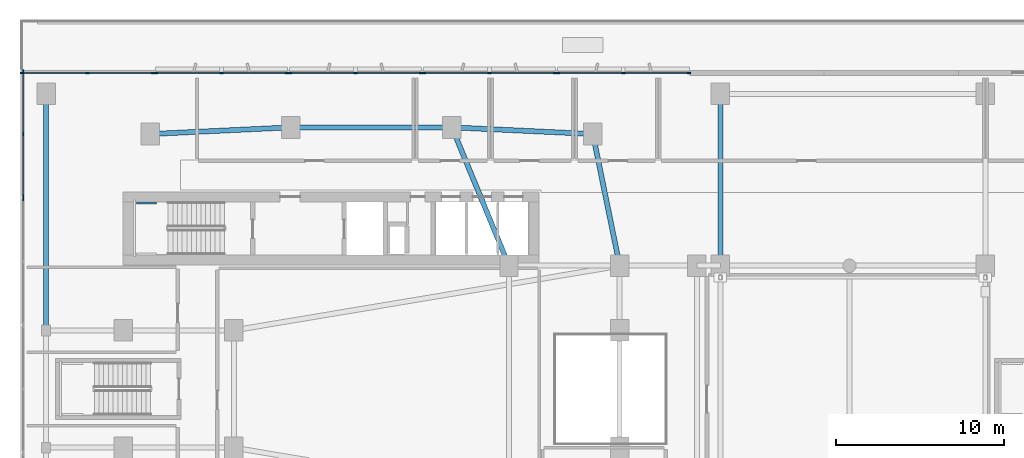
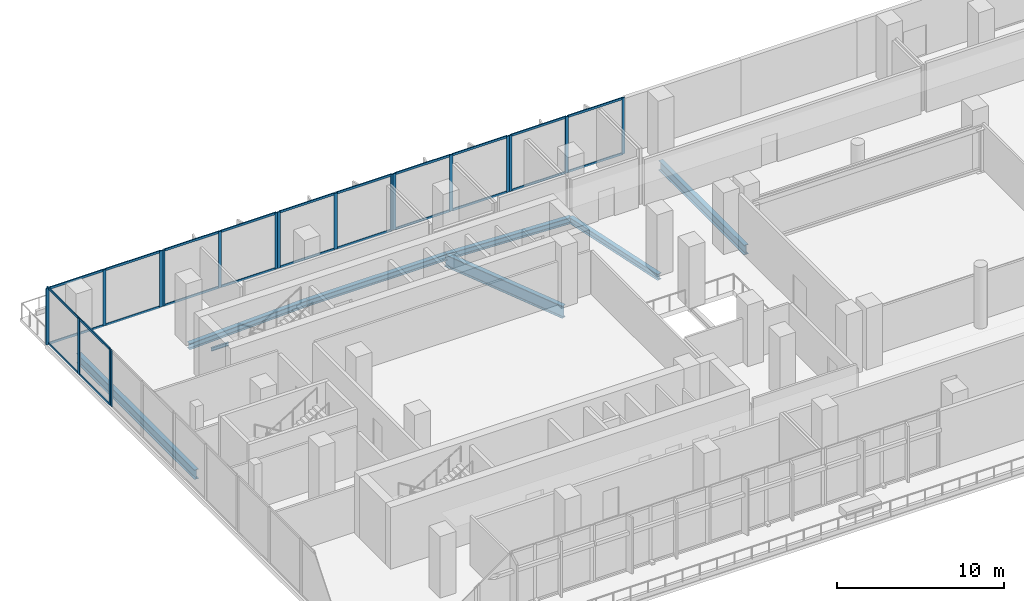
# One storey, part 7 of 31: 43 members, 8 beams, 7 elements without a shape of their own.
"""IFC4 building model written with IfcOpenShell, lengths in metres."""

from ifc_helpers import new_model, si_unit, derived_unit, direction, frame, origin, origin_2d, place, context, subcontext, project, spatial, rectangle, i_section, extrude, material, layer, layer_set, material_profile, profile_set, type_object, element, aggregate, save


model = new_model("IFC4")

# Units and contexts
model_context = context("Model", 3, precision=1e-05, world=origin(), true_north=direction((0.0, 1.0)))
body_context = subcontext(model_context, "Body", "Model", "MODEL_VIEW")
ifc_project = project(units=[si_unit("LENGTHUNIT", "METRE"), si_unit("AREAUNIT", "SQUARE_METRE"), si_unit("VOLUMEUNIT", "CUBIC_METRE"), si_unit("PLANEANGLEUNIT", "RADIAN"), si_unit("MASSUNIT", "GRAM", prefix="KILO"), derived_unit("THERMALTRANSMITTANCEUNIT", [(si_unit("POWERUNIT", "WATT"), 1), (si_unit("LENGTHUNIT", "METRE"), -2), (si_unit("THERMODYNAMICTEMPERATUREUNIT", "KELVIN"), -1)])], contexts=[model_context])

# Site, building, storey
site_placement = place(None, origin())
site = spatial("IfcSite", under=ifc_project, at=site_placement, CompositionType="ELEMENT")
building_placement = place(site_placement, origin())
building = spatial("IfcBuilding", under=site, at=building_placement, Name="Kivonza Crest Hotel", CompositionType="ELEMENT")
storey_placement = place(building_placement, frame((0.0, 0.0, 15.0)))
storey = spatial("IfcBuildingStorey", under=building, at=storey_placement, Name="L03", CompositionType="ELEMENT", Elevation=15.0)

# Beams
ifc_material_1 = material(Name="Steel S355", Category="steel")
ifc_material_profile_1 = material_profile(ifc_material_1, i_section(OverallWidth=0.300048828125, OverallDepth=0.449951171875, WebThickness=0.013916015625, FlangeThickness=0.02587890625, FilletRadius=0.027099609375, at=origin_2d()), Name="HEB 450")
ifc_profile_set_1 = profile_set([ifc_material_profile_1], Name="Steel S355")
beam_type_1 = type_object("IfcBeamType", Name="BM-HEB450", PredefinedType="SPANDREL", material=ifc_profile_set_1)
beam_1_placement = place(storey_placement, frame((35.800048828125, 32.35009765625, -0.574951171875), z_axis=(-0.199730733965, 0.979850822273, 0.0), x_axis=(-0.979850822273, -0.199730733965, 0.0)))
element("IfcBeam", 1, at=beam_1_placement, inside=storey, type_object=beam_type_1, Name="Tower T1 L03 perimeter spandrel PNE-NE", PredefinedType="SPANDREL", context=body_context, shape_type="SweptSolid", body=[
    extrude(i_section(OverallWidth=0.300048828125, OverallDepth=0.449951171875, WebThickness=0.013916015625, FlangeThickness=0.02587890625, FilletRadius=0.027099609375, at=origin_2d()), origin(), (0.0, 0.0, 1.0), 8.01123046875),
])
beam_2_placement = place(storey_placement, frame((34.199951171875, 40.199951171875, -0.574951171875), z_axis=(-0.998867283688, 0.047583080799, 0.0), x_axis=(-0.047583080799, -0.998867283688, 0.0)))
element("IfcBeam", 2, at=beam_2_placement, inside=storey, type_object=beam_type_1, Name="Tower T1 L03 perimeter spandrel NE-N2", PredefinedType="SPANDREL", context=body_context, shape_type="SweptSolid", body=[
    extrude(i_section(OverallWidth=0.300048828125, OverallDepth=0.449951171875, WebThickness=0.013916015625, FlangeThickness=0.02587890625, FilletRadius=0.027099609375, at=origin_2d()), origin(), (0.0, 0.0, 1.0), 8.409423828125),
])
beam_3_placement = place(storey_placement, frame((25.800048828125, 40.60009765625, -0.574951171875), z_axis=(-1.0, 0.0, 0.0), x_axis=(0.0, -1.0, 0.0)))
element("IfcBeam", 3, at=beam_3_placement, inside=storey, type_object=beam_type_1, Name="Tower T1 L03 perimeter spandrel N2-N1", PredefinedType="SPANDREL", context=body_context, shape_type="SweptSolid", body=[
    extrude(i_section(OverallWidth=0.300048828125, OverallDepth=0.449951171875, WebThickness=0.013916015625, FlangeThickness=0.02587890625, FilletRadius=0.027099609375, at=origin_2d()), origin(), (0.0, 0.0, 1.0), 9.60009765625),
])
beam_4_placement = place(storey_placement, frame((16.199951171875, 40.60009765625, -0.574951171875), z_axis=(-0.998867283688, -0.047583080799, 0.0), x_axis=(0.047583080799, -0.998867283688, 0.0)))
element("IfcBeam", 4, at=beam_4_placement, inside=storey, type_object=beam_type_1, Name="Tower T1 L03 perimeter spandrel N1-NW", PredefinedType="SPANDREL", context=body_context, shape_type="SweptSolid", body=[
    extrude(i_section(OverallWidth=0.300048828125, OverallDepth=0.449951171875, WebThickness=0.013916015625, FlangeThickness=0.02587890625, FilletRadius=0.027099609375, at=origin_2d()), origin(), (0.0, 0.0, 1.0), 8.409423828125),
])
ifc_material_profile_2 = material_profile(ifc_material_1, i_section(OverallWidth=0.300048828125, OverallDepth=0.699951171875, WebThickness=0.01708984375, FlangeThickness=0.031982421875, FilletRadius=0.027099609375, at=origin_2d()), Name="HEB 700")
ifc_profile_set_2 = profile_set([ifc_material_profile_2], Name="Steel S355")
beam_type_2 = type_object("IfcBeamType", Name="BM-HEB700", PredefinedType="BEAM", material=ifc_profile_set_2)
beam_5_placement = place(storey_placement, frame((1.60009765625, 28.5, -0.699951171875), z_axis=(0.0, 1.0, 0.0), x_axis=(-1.0, 0.0, 0.0)))
element("IfcBeam", 5, at=beam_5_placement, inside=storey, type_object=beam_type_2, Name="L03 podium girder Y 29", PredefinedType="BEAM", context=body_context, shape_type="SweptSolid", body=[
    extrude(i_section(OverallWidth=0.300048828125, OverallDepth=0.699951171875, WebThickness=0.01708984375, FlangeThickness=0.031982421875, FilletRadius=0.027099609375, at=origin_2d()), origin(), (0.0, 0.0, 1.0), 14.10009765625),
])
beam_6_placement = place(storey_placement, frame((41.800048828125, 32.35009765625, -0.699951171875), z_axis=(0.0, 1.0, 0.0), x_axis=(-1.0, 0.0, 0.0)))
element("IfcBeam", 6, at=beam_6_placement, inside=storey, type_object=beam_type_2, Name="L03 podium girder Y 39", PredefinedType="BEAM", context=body_context, shape_type="SweptSolid", body=[
    extrude(i_section(OverallWidth=0.300048828125, OverallDepth=0.699951171875, WebThickness=0.01708984375, FlangeThickness=0.031982421875, FilletRadius=0.027099609375, at=origin_2d()), origin(), (0.0, 0.0, 1.0), 10.25),
])
ifc_material_profile_3 = material_profile(ifc_material_1, i_section(OverallWidth=0.300048828125, OverallDepth=0.89990234375, WebThickness=0.0185546875, FlangeThickness=0.034912109375, FilletRadius=0.030029296875, at=origin_2d()), Name="HEB 900")
ifc_profile_set_3 = profile_set([ifc_material_profile_3], Name="Steel S355")
beam_type_3 = type_object("IfcBeamType", Name="BM-HEB900", PredefinedType="BEAM", material=ifc_profile_set_3)
beam_7_placement = place(storey_placement, frame((25.800048828125, 40.60009765625, -0.800048828125), z_axis=(0.381022260404, -0.924565864109, 0.0), x_axis=(0.924565864109, 0.381022260404, 0.0)))
element("IfcBeam", 7, at=beam_7_placement, inside=storey, type_object=beam_type_3, Name="Tower T1 L03 primary girder N1-TNE", PredefinedType="BEAM", context=body_context, shape_type="SweptSolid", body=[
    extrude(i_section(OverallWidth=0.300048828125, OverallDepth=0.89990234375, WebThickness=0.0185546875, FlangeThickness=0.034912109375, FilletRadius=0.030029296875, at=origin_2d()), origin(), (0.0, 0.0, 1.0), 8.923095703125),
])
ifc_material_profile_4 = material_profile(ifc_material_1, i_section(OverallWidth=0.1201171875, OverallDepth=0.239990234375, WebThickness=0.006103515625, FlangeThickness=0.009765625, FilletRadius=0.014892578125, at=origin_2d()), Name="IPE 240")
ifc_profile_set_4 = profile_set([ifc_material_profile_4], Name="Steel S355")
beam_type_4 = type_object("IfcBeamType", Name="BM-LLDG-240", PredefinedType="BEAM", material=ifc_profile_set_4)
beam_8_placement = place(storey_placement, frame((6.989990234375, 36.10009765625, 1.929931640625), z_axis=(1.0, 0.0, 0.0), x_axis=(0.0, 1.0, 0.0)))
element("IfcBeam", 8, at=beam_8_placement, inside=storey, type_object=beam_type_4, Name="Stair ST-T1-N L03 North landing corbel", PredefinedType="BEAM", context=body_context, shape_type="SweptSolid", body=[
    extrude(i_section(OverallWidth=0.1201171875, OverallDepth=0.239990234375, WebThickness=0.006103515625, FlangeThickness=0.009765625, FilletRadius=0.014892578125, at=origin_2d()), origin(), (0.0, 0.0, 1.0), 1.2099609375),
])

# Curtain wall, members
ifc_material_2 = material(Name="Anodised bronze aluminium and low-E double glazing", Category="aluminium")
ifc_layer = layer(ifc_material_2, 0.199951171875)
ifc_layer_set = layer_set([ifc_layer], Name="Anodised bronze aluminium and low-E double glazing")
curtain_wall_type = type_object("IfcCurtainWallType", Name="CW-SYS-6", PredefinedType="NOTDEFINED", material=ifc_layer_set)
curtain_wall_1_placement = place(storey_placement, origin())
curtain_wall_1 = element("IfcCurtainWall", 9, at=curtain_wall_1_placement, inside=storey, type_object=curtain_wall_type, Name="L03 unitised curtain wall CW-POD-L03-25", PredefinedType="NOTDEFINED")
ifc_material_3 = material(Name="Anodised bronze aluminium", Category="aluminium")
ifc_material_profile_5 = material_profile(ifc_material_3, rectangle(XDim=0.074951171875, YDim=0.219970703125, at=origin_2d()), Name="CW-M 75x220")
ifc_profile_set_5 = profile_set([ifc_material_profile_5], Name="Anodised bronze aluminium")
member_type_1 = type_object("IfcMemberType", Name="CW-MUL-75x220", PredefinedType="MULLION", material=ifc_profile_set_5)
member_1_placement = place(storey_placement, frame((39.935546875, 43.840087890625, 0.0), z_axis=(0.0, 0.0, 1.0), x_axis=(0.0, -1.0, 0.0)))
member_1 = element("IfcMember", 10, at=member_1_placement, type_object=member_type_1, Name="CW-6 mullion 1", PredefinedType="MULLION", context=body_context, shape_type="SweptSolid", body=[
    extrude(rectangle(XDim=0.074951171875, YDim=0.219970703125, at=origin_2d()), origin(), (0.0, 0.0, 1.0), 4.10009765625),
])
member_2_placement = place(storey_placement, frame((36.02001953125, 43.840087890625, 0.0), z_axis=(0.0, 0.0, 1.0), x_axis=(0.0, -1.0, 0.0)))
member_2 = element("IfcMember", 11, at=member_2_placement, type_object=member_type_1, Name="CW-6 mullion 2", PredefinedType="MULLION", context=body_context, shape_type="SweptSolid", body=[
    extrude(rectangle(XDim=0.074951171875, YDim=0.219970703125, at=origin_2d()), origin(), (0.0, 0.0, 1.0), 4.10009765625),
])
member_3_placement = place(storey_placement, frame((32.1044921875, 43.840087890625, 0.0), z_axis=(0.0, 0.0, 1.0), x_axis=(0.0, -1.0, 0.0)))
member_3 = element("IfcMember", 12, at=member_3_placement, type_object=member_type_1, Name="CW-6 mullion 3", PredefinedType="MULLION", context=body_context, shape_type="SweptSolid", body=[
    extrude(rectangle(XDim=0.074951171875, YDim=0.219970703125, at=origin_2d()), origin(), (0.0, 0.0, 1.0), 4.10009765625),
])

curtain_wall_2_placement = place(storey_placement, origin())
curtain_wall_2 = element("IfcCurtainWall", 13, at=curtain_wall_2_placement, inside=storey, type_object=curtain_wall_type, Name="L03 unitised curtain wall CW-POD-L03-26", PredefinedType="NOTDEFINED")
member_4_placement = place(storey_placement, frame((31.949462890625, 43.840087890625, 0.0), z_axis=(0.0, 0.0, 1.0), x_axis=(0.0, -1.0, 0.0)))
member_4 = element("IfcMember", 14, at=member_4_placement, type_object=member_type_1, Name="CW-6 mullion 1", PredefinedType="MULLION", context=body_context, shape_type="SweptSolid", body=[
    extrude(rectangle(XDim=0.074951171875, YDim=0.219970703125, at=origin_2d()), origin(), (0.0, 0.0, 1.0), 4.10009765625),
])
member_5_placement = place(storey_placement, frame((28.033447265625, 43.840087890625, 0.0), z_axis=(0.0, 0.0, 1.0), x_axis=(0.0, -1.0, 0.0)))
member_5 = element("IfcMember", 15, at=member_5_placement, type_object=member_type_1, Name="CW-6 mullion 2", PredefinedType="MULLION", context=body_context, shape_type="SweptSolid", body=[
    extrude(rectangle(XDim=0.074951171875, YDim=0.219970703125, at=origin_2d()), origin(), (0.0, 0.0, 1.0), 4.10009765625),
])
member_6_placement = place(storey_placement, frame((24.117431640625, 43.840087890625, 0.0), z_axis=(0.0, 0.0, 1.0), x_axis=(0.0, -1.0, 0.0)))
member_6 = element("IfcMember", 16, at=member_6_placement, type_object=member_type_1, Name="CW-6 mullion 3", PredefinedType="MULLION", context=body_context, shape_type="SweptSolid", body=[
    extrude(rectangle(XDim=0.074951171875, YDim=0.219970703125, at=origin_2d()), origin(), (0.0, 0.0, 1.0), 4.10009765625),
])

curtain_wall_3_placement = place(storey_placement, origin())
curtain_wall_3 = element("IfcCurtainWall", 17, at=curtain_wall_3_placement, inside=storey, type_object=curtain_wall_type, Name="L03 unitised curtain wall CW-POD-L03-27", PredefinedType="NOTDEFINED")
member_7_placement = place(storey_placement, frame((23.96240234375, 43.840087890625, 0.0), z_axis=(0.0, 0.0, 1.0), x_axis=(0.0, -1.0, 0.0)))
member_7 = element("IfcMember", 18, at=member_7_placement, type_object=member_type_1, Name="CW-6 mullion 1", PredefinedType="MULLION", context=body_context, shape_type="SweptSolid", body=[
    extrude(rectangle(XDim=0.074951171875, YDim=0.219970703125, at=origin_2d()), origin(), (0.0, 0.0, 1.0), 4.10009765625),
])
member_8_placement = place(storey_placement, frame((20.04638671875, 43.840087890625, 0.0), z_axis=(0.0, 0.0, 1.0), x_axis=(0.0, -1.0, 0.0)))
member_8 = element("IfcMember", 19, at=member_8_placement, type_object=member_type_1, Name="CW-6 mullion 2", PredefinedType="MULLION", context=body_context, shape_type="SweptSolid", body=[
    extrude(rectangle(XDim=0.074951171875, YDim=0.219970703125, at=origin_2d()), origin(), (0.0, 0.0, 1.0), 4.10009765625),
])
member_9_placement = place(storey_placement, frame((16.130615234375, 43.840087890625, 0.0), z_axis=(0.0, 0.0, 1.0), x_axis=(0.0, -1.0, 0.0)))
member_9 = element("IfcMember", 20, at=member_9_placement, type_object=member_type_1, Name="CW-6 mullion 3", PredefinedType="MULLION", context=body_context, shape_type="SweptSolid", body=[
    extrude(rectangle(XDim=0.074951171875, YDim=0.219970703125, at=origin_2d()), origin(), (0.0, 0.0, 1.0), 4.10009765625),
])

curtain_wall_4_placement = place(storey_placement, origin())
curtain_wall_4 = element("IfcCurtainWall", 21, at=curtain_wall_4_placement, inside=storey, type_object=curtain_wall_type, Name="L03 unitised curtain wall CW-POD-L03-28", PredefinedType="NOTDEFINED")
member_10_placement = place(storey_placement, frame((15.9755859375, 43.840087890625, 0.0), z_axis=(0.0, 0.0, 1.0), x_axis=(0.0, -1.0, 0.0)))
member_10 = element("IfcMember", 22, at=member_10_placement, type_object=member_type_1, Name="CW-6 mullion 1", PredefinedType="MULLION", context=body_context, shape_type="SweptSolid", body=[
    extrude(rectangle(XDim=0.074951171875, YDim=0.219970703125, at=origin_2d()), origin(), (0.0, 0.0, 1.0), 4.10009765625),
])
member_11_placement = place(storey_placement, frame((12.06005859375, 43.840087890625, 0.0), z_axis=(0.0, 0.0, 1.0), x_axis=(0.0, -1.0, 0.0)))
member_11 = element("IfcMember", 23, at=member_11_placement, type_object=member_type_1, Name="CW-6 mullion 2", PredefinedType="MULLION", context=body_context, shape_type="SweptSolid", body=[
    extrude(rectangle(XDim=0.074951171875, YDim=0.219970703125, at=origin_2d()), origin(), (0.0, 0.0, 1.0), 4.10009765625),
])
member_12_placement = place(storey_placement, frame((8.14453125, 43.840087890625, 0.0), z_axis=(0.0, 0.0, 1.0), x_axis=(0.0, -1.0, 0.0)))
member_12 = element("IfcMember", 24, at=member_12_placement, type_object=member_type_1, Name="CW-6 mullion 3", PredefinedType="MULLION", context=body_context, shape_type="SweptSolid", body=[
    extrude(rectangle(XDim=0.074951171875, YDim=0.219970703125, at=origin_2d()), origin(), (0.0, 0.0, 1.0), 4.10009765625),
])

curtain_wall_5_placement = place(storey_placement, origin())
curtain_wall_5 = element("IfcCurtainWall", 25, at=curtain_wall_5_placement, inside=storey, type_object=curtain_wall_type, Name="L03 unitised curtain wall CW-POD-L03-29", PredefinedType="NOTDEFINED")
member_13_placement = place(storey_placement, frame((7.989501953125, 43.840087890625, 0.0), z_axis=(0.0, 0.0, 1.0), x_axis=(0.0, -1.0, 0.0)))
member_13 = element("IfcMember", 26, at=member_13_placement, type_object=member_type_1, Name="CW-6 mullion 1", PredefinedType="MULLION", context=body_context, shape_type="SweptSolid", body=[
    extrude(rectangle(XDim=0.074951171875, YDim=0.219970703125, at=origin_2d()), origin(), (0.0, 0.0, 1.0), 4.10009765625),
])
member_14_placement = place(storey_placement, frame((4.073486328125, 43.840087890625, 0.0), z_axis=(0.0, 0.0, 1.0), x_axis=(0.0, -1.0, 0.0)))
member_14 = element("IfcMember", 27, at=member_14_placement, type_object=member_type_1, Name="CW-6 mullion 2", PredefinedType="MULLION", context=body_context, shape_type="SweptSolid", body=[
    extrude(rectangle(XDim=0.074951171875, YDim=0.219970703125, at=origin_2d()), origin(), (0.0, 0.0, 1.0), 4.10009765625),
])
member_15_placement = place(storey_placement, frame((0.157470703125, 43.840087890625, 0.0), z_axis=(0.0, 0.0, 1.0), x_axis=(0.0, -1.0, 0.0)))
member_15 = element("IfcMember", 28, at=member_15_placement, type_object=member_type_1, Name="CW-6 mullion 3", PredefinedType="MULLION", context=body_context, shape_type="SweptSolid", body=[
    extrude(rectangle(XDim=0.074951171875, YDim=0.219970703125, at=origin_2d()), origin(), (0.0, 0.0, 1.0), 4.10009765625),
])

curtain_wall_6_placement = place(storey_placement, origin())
curtain_wall_6 = element("IfcCurtainWall", 29, at=curtain_wall_6_placement, inside=storey, type_object=curtain_wall_type, Name="L03 unitised curtain wall CW-POD-L03-30", PredefinedType="NOTDEFINED")
member_16_placement = place(storey_placement, frame((0.239990234375, 43.922607421875, 0.0), z_axis=(0.0, 0.0, 1.0), x_axis=(1.0, 0.0, 0.0)))
member_16 = element("IfcMember", 30, at=member_16_placement, type_object=member_type_1, Name="CW-6 mullion 1", PredefinedType="MULLION", context=body_context, shape_type="SweptSolid", body=[
    extrude(rectangle(XDim=0.074951171875, YDim=0.219970703125, at=origin_2d()), origin(), (0.0, 0.0, 1.0), 4.10009765625),
])
member_17_placement = place(storey_placement, frame((0.239990234375, 40.199951171875, 0.0), z_axis=(0.0, 0.0, 1.0), x_axis=(1.0, 0.0, 0.0)))
member_17 = element("IfcMember", 31, at=member_17_placement, type_object=member_type_1, Name="CW-6 mullion 2", PredefinedType="MULLION", context=body_context, shape_type="SweptSolid", body=[
    extrude(rectangle(XDim=0.074951171875, YDim=0.219970703125, at=origin_2d()), origin(), (0.0, 0.0, 1.0), 4.10009765625),
])
member_18_placement = place(storey_placement, frame((0.239990234375, 36.4775390625, 0.0), z_axis=(0.0, 0.0, 1.0), x_axis=(1.0, 0.0, 0.0)))
member_18 = element("IfcMember", 32, at=member_18_placement, type_object=member_type_1, Name="CW-6 mullion 3", PredefinedType="MULLION", context=body_context, shape_type="SweptSolid", body=[
    extrude(rectangle(XDim=0.074951171875, YDim=0.219970703125, at=origin_2d()), origin(), (0.0, 0.0, 1.0), 4.10009765625),
])

# Curtain wall, member
curtain_wall_7_placement = place(storey_placement, origin())
curtain_wall_7 = element("IfcCurtainWall", 33, at=curtain_wall_7_placement, inside=storey, type_object=curtain_wall_type, Name="L03 unitised curtain wall CW-POD-L03-31", PredefinedType="NOTDEFINED")
member_19_placement = place(storey_placement, frame((0.239990234375, 36.322509765625, 0.0), z_axis=(0.0, 0.0, 1.0), x_axis=(1.0, 0.0, 0.0)))
member_19 = element("IfcMember", 34, at=member_19_placement, type_object=member_type_1, Name="CW-6 mullion 1", PredefinedType="MULLION", context=body_context, shape_type="SweptSolid", body=[
    extrude(rectangle(XDim=0.074951171875, YDim=0.219970703125, at=origin_2d()), origin(), (0.0, 0.0, 1.0), 4.10009765625),
])
aggregate(curtain_wall_7, [member_19])

# Member
ifc_material_profile_6 = material_profile(ifc_material_3, rectangle(XDim=0.074951171875, YDim=0.159912109375, at=origin_2d()), Name="CW-T 75x160")
ifc_profile_set_6 = profile_set([ifc_material_profile_6], Name="Anodised bronze aluminium")
member_type_2 = type_object("IfcMemberType", Name="CW-TRN-75x160", PredefinedType="USERDEFINED", material=ifc_profile_set_6)
member_20_placement = place(storey_placement, frame((39.89794921875, 43.840087890625, 0.03759765625), z_axis=(-1.0, 0.0, 0.0), x_axis=(0.0, -1.0, 0.0)))
member_20 = element("IfcMember", 35, at=member_20_placement, type_object=member_type_2, Name="CW-6 transom 1.1", ObjectType="TRANSOM", PredefinedType="USERDEFINED", context=body_context, shape_type="SweptSolid", body=[
    extrude(rectangle(XDim=0.074951171875, YDim=0.159912109375, at=origin_2d()), origin(), (0.0, 0.0, 1.0), 3.84033203125),
])

member_21_placement = place(storey_placement, frame((39.89794921875, 43.840087890625, 4.0625), z_axis=(-1.0, 0.0, 0.0), x_axis=(0.0, -1.0, 0.0)))
member_21 = element("IfcMember", 36, at=member_21_placement, type_object=member_type_2, Name="CW-6 transom 1.2", ObjectType="TRANSOM", PredefinedType="USERDEFINED", context=body_context, shape_type="SweptSolid", body=[
    extrude(rectangle(XDim=0.074951171875, YDim=0.159912109375, at=origin_2d()), origin(), (0.0, 0.0, 1.0), 3.84033203125),
])

member_22_placement = place(storey_placement, frame((35.982421875, 43.840087890625, 0.03759765625), z_axis=(-1.0, 0.0, 0.0), x_axis=(0.0, -1.0, 0.0)))
member_22 = element("IfcMember", 37, at=member_22_placement, type_object=member_type_2, Name="CW-6 transom 2.1", ObjectType="TRANSOM", PredefinedType="USERDEFINED", context=body_context, shape_type="SweptSolid", body=[
    extrude(rectangle(XDim=0.074951171875, YDim=0.159912109375, at=origin_2d()), origin(), (0.0, 0.0, 1.0), 3.84033203125),
])

member_23_placement = place(storey_placement, frame((35.982421875, 43.840087890625, 4.0625), z_axis=(-1.0, 0.0, 0.0), x_axis=(0.0, -1.0, 0.0)))
member_23 = element("IfcMember", 38, at=member_23_placement, type_object=member_type_2, Name="CW-6 transom 2.2", ObjectType="TRANSOM", PredefinedType="USERDEFINED", context=body_context, shape_type="SweptSolid", body=[
    extrude(rectangle(XDim=0.074951171875, YDim=0.159912109375, at=origin_2d()), origin(), (0.0, 0.0, 1.0), 3.84033203125),
])

aggregate(curtain_wall_1, [member_1, member_2, member_3, member_20, member_21, member_22, member_23])

member_24_placement = place(storey_placement, frame((31.912109375, 43.840087890625, 0.03759765625), z_axis=(-1.0, 0.0, 0.0), x_axis=(0.0, -1.0, 0.0)))
member_24 = element("IfcMember", 39, at=member_24_placement, type_object=member_type_2, Name="CW-6 transom 1.1", ObjectType="TRANSOM", PredefinedType="USERDEFINED", context=body_context, shape_type="SweptSolid", body=[
    extrude(rectangle(XDim=0.074951171875, YDim=0.159912109375, at=origin_2d()), origin(), (0.0, 0.0, 1.0), 3.841064453125),
])

member_25_placement = place(storey_placement, frame((31.912109375, 43.840087890625, 4.0625), z_axis=(-1.0, 0.0, 0.0), x_axis=(0.0, -1.0, 0.0)))
member_25 = element("IfcMember", 40, at=member_25_placement, type_object=member_type_2, Name="CW-6 transom 1.2", ObjectType="TRANSOM", PredefinedType="USERDEFINED", context=body_context, shape_type="SweptSolid", body=[
    extrude(rectangle(XDim=0.074951171875, YDim=0.159912109375, at=origin_2d()), origin(), (0.0, 0.0, 1.0), 3.841064453125),
])

member_26_placement = place(storey_placement, frame((27.99609375, 43.840087890625, 0.03759765625), z_axis=(-1.0, 0.0, 0.0), x_axis=(0.0, -1.0, 0.0)))
member_26 = element("IfcMember", 41, at=member_26_placement, type_object=member_type_2, Name="CW-6 transom 2.1", ObjectType="TRANSOM", PredefinedType="USERDEFINED", context=body_context, shape_type="SweptSolid", body=[
    extrude(rectangle(XDim=0.074951171875, YDim=0.159912109375, at=origin_2d()), origin(), (0.0, 0.0, 1.0), 3.841064453125),
])

member_27_placement = place(storey_placement, frame((27.99609375, 43.840087890625, 4.0625), z_axis=(-1.0, 0.0, 0.0), x_axis=(0.0, -1.0, 0.0)))
member_27 = element("IfcMember", 42, at=member_27_placement, type_object=member_type_2, Name="CW-6 transom 2.2", ObjectType="TRANSOM", PredefinedType="USERDEFINED", context=body_context, shape_type="SweptSolid", body=[
    extrude(rectangle(XDim=0.074951171875, YDim=0.159912109375, at=origin_2d()), origin(), (0.0, 0.0, 1.0), 3.841064453125),
])

aggregate(curtain_wall_2, [member_4, member_5, member_6, member_24, member_25, member_26, member_27])

member_28_placement = place(storey_placement, frame((23.925048828125, 43.840087890625, 0.03759765625), z_axis=(-1.0, 0.0, 0.0), x_axis=(0.0, -1.0, 0.0)))
member_28 = element("IfcMember", 43, at=member_28_placement, type_object=member_type_2, Name="CW-6 transom 1.1", ObjectType="TRANSOM", PredefinedType="USERDEFINED", context=body_context, shape_type="SweptSolid", body=[
    extrude(rectangle(XDim=0.074951171875, YDim=0.159912109375, at=origin_2d()), origin(), (0.0, 0.0, 1.0), 3.841064453125),
])

member_29_placement = place(storey_placement, frame((23.925048828125, 43.840087890625, 4.0625), z_axis=(-1.0, 0.0, 0.0), x_axis=(0.0, -1.0, 0.0)))
member_29 = element("IfcMember", 44, at=member_29_placement, type_object=member_type_2, Name="CW-6 transom 1.2", ObjectType="TRANSOM", PredefinedType="USERDEFINED", context=body_context, shape_type="SweptSolid", body=[
    extrude(rectangle(XDim=0.074951171875, YDim=0.159912109375, at=origin_2d()), origin(), (0.0, 0.0, 1.0), 3.841064453125),
])

member_30_placement = place(storey_placement, frame((20.009033203125, 43.840087890625, 0.03759765625), z_axis=(-1.0, 0.0, 0.0), x_axis=(0.0, -1.0, 0.0)))
member_30 = element("IfcMember", 45, at=member_30_placement, type_object=member_type_2, Name="CW-6 transom 2.1", ObjectType="TRANSOM", PredefinedType="USERDEFINED", context=body_context, shape_type="SweptSolid", body=[
    extrude(rectangle(XDim=0.074951171875, YDim=0.159912109375, at=origin_2d()), origin(), (0.0, 0.0, 1.0), 3.841064453125),
])

member_31_placement = place(storey_placement, frame((20.009033203125, 43.840087890625, 4.0625), z_axis=(-1.0, 0.0, 0.0), x_axis=(0.0, -1.0, 0.0)))
member_31 = element("IfcMember", 46, at=member_31_placement, type_object=member_type_2, Name="CW-6 transom 2.2", ObjectType="TRANSOM", PredefinedType="USERDEFINED", context=body_context, shape_type="SweptSolid", body=[
    extrude(rectangle(XDim=0.074951171875, YDim=0.159912109375, at=origin_2d()), origin(), (0.0, 0.0, 1.0), 3.841064453125),
])

aggregate(curtain_wall_3, [member_7, member_8, member_9, member_28, member_29, member_30, member_31])

member_32_placement = place(storey_placement, frame((15.93798828125, 43.840087890625, 0.03759765625), z_axis=(-1.0, 0.0, 0.0), x_axis=(0.0, -1.0, 0.0)))
member_32 = element("IfcMember", 47, at=member_32_placement, type_object=member_type_2, Name="CW-6 transom 1.1", ObjectType="TRANSOM", PredefinedType="USERDEFINED", context=body_context, shape_type="SweptSolid", body=[
    extrude(rectangle(XDim=0.074951171875, YDim=0.159912109375, at=origin_2d()), origin(), (0.0, 0.0, 1.0), 3.840576171875),
])

member_33_placement = place(storey_placement, frame((15.93798828125, 43.840087890625, 4.0625), z_axis=(-1.0, 0.0, 0.0), x_axis=(0.0, -1.0, 0.0)))
member_33 = element("IfcMember", 48, at=member_33_placement, type_object=member_type_2, Name="CW-6 transom 1.2", ObjectType="TRANSOM", PredefinedType="USERDEFINED", context=body_context, shape_type="SweptSolid", body=[
    extrude(rectangle(XDim=0.074951171875, YDim=0.159912109375, at=origin_2d()), origin(), (0.0, 0.0, 1.0), 3.840576171875),
])

member_34_placement = place(storey_placement, frame((12.0224609375, 43.840087890625, 0.03759765625), z_axis=(-1.0, 0.0, 0.0), x_axis=(0.0, -1.0, 0.0)))
member_34 = element("IfcMember", 49, at=member_34_placement, type_object=member_type_2, Name="CW-6 transom 2.1", ObjectType="TRANSOM", PredefinedType="USERDEFINED", context=body_context, shape_type="SweptSolid", body=[
    extrude(rectangle(XDim=0.074951171875, YDim=0.159912109375, at=origin_2d()), origin(), (0.0, 0.0, 1.0), 3.840576171875),
])

member_35_placement = place(storey_placement, frame((12.0224609375, 43.840087890625, 4.0625), z_axis=(-1.0, 0.0, 0.0), x_axis=(0.0, -1.0, 0.0)))
member_35 = element("IfcMember", 50, at=member_35_placement, type_object=member_type_2, Name="CW-6 transom 2.2", ObjectType="TRANSOM", PredefinedType="USERDEFINED", context=body_context, shape_type="SweptSolid", body=[
    extrude(rectangle(XDim=0.074951171875, YDim=0.159912109375, at=origin_2d()), origin(), (0.0, 0.0, 1.0), 3.840576171875),
])

aggregate(curtain_wall_4, [member_10, member_11, member_12, member_32, member_33, member_34, member_35])

member_36_placement = place(storey_placement, frame((7.951904296875, 43.840087890625, 0.03759765625), z_axis=(-1.0, 0.0, 0.0), x_axis=(0.0, -1.0, 0.0)))
member_36 = element("IfcMember", 51, at=member_36_placement, type_object=member_type_2, Name="CW-6 transom 1.1", ObjectType="TRANSOM", PredefinedType="USERDEFINED", context=body_context, shape_type="SweptSolid", body=[
    extrude(rectangle(XDim=0.074951171875, YDim=0.159912109375, at=origin_2d()), origin(), (0.0, 0.0, 1.0), 3.8408203125),
])

member_37_placement = place(storey_placement, frame((7.951904296875, 43.840087890625, 4.0625), z_axis=(-1.0, 0.0, 0.0), x_axis=(0.0, -1.0, 0.0)))
member_37 = element("IfcMember", 52, at=member_37_placement, type_object=member_type_2, Name="CW-6 transom 1.2", ObjectType="TRANSOM", PredefinedType="USERDEFINED", context=body_context, shape_type="SweptSolid", body=[
    extrude(rectangle(XDim=0.074951171875, YDim=0.159912109375, at=origin_2d()), origin(), (0.0, 0.0, 1.0), 3.8408203125),
])

member_38_placement = place(storey_placement, frame((4.035888671875, 43.840087890625, 0.03759765625), z_axis=(-1.0, 0.0, 0.0), x_axis=(0.0, -1.0, 0.0)))
member_38 = element("IfcMember", 53, at=member_38_placement, type_object=member_type_2, Name="CW-6 transom 2.1", ObjectType="TRANSOM", PredefinedType="USERDEFINED", context=body_context, shape_type="SweptSolid", body=[
    extrude(rectangle(XDim=0.074951171875, YDim=0.159912109375, at=origin_2d()), origin(), (0.0, 0.0, 1.0), 3.8408203125),
])

member_39_placement = place(storey_placement, frame((4.035888671875, 43.840087890625, 4.0625), z_axis=(-1.0, 0.0, 0.0), x_axis=(0.0, -1.0, 0.0)))
member_39 = element("IfcMember", 54, at=member_39_placement, type_object=member_type_2, Name="CW-6 transom 2.2", ObjectType="TRANSOM", PredefinedType="USERDEFINED", context=body_context, shape_type="SweptSolid", body=[
    extrude(rectangle(XDim=0.074951171875, YDim=0.159912109375, at=origin_2d()), origin(), (0.0, 0.0, 1.0), 3.8408203125),
])

aggregate(curtain_wall_5, [member_13, member_14, member_15, member_36, member_37, member_38, member_39])

member_40_placement = place(storey_placement, frame((0.239990234375, 43.885009765625, 0.03759765625), z_axis=(0.0, -1.0, 0.0), x_axis=(1.0, 0.0, 0.0)))
member_40 = element("IfcMember", 55, at=member_40_placement, type_object=member_type_2, Name="CW-6 transom 1.1", ObjectType="TRANSOM", PredefinedType="USERDEFINED", context=body_context, shape_type="SweptSolid", body=[
    extrude(rectangle(XDim=0.074951171875, YDim=0.159912109375, at=origin_2d()), origin(), (0.0, 0.0, 1.0), 3.6474609375),
])

member_41_placement = place(storey_placement, frame((0.239990234375, 43.885009765625, 4.0625), z_axis=(0.0, -1.0, 0.0), x_axis=(1.0, 0.0, 0.0)))
member_41 = element("IfcMember", 56, at=member_41_placement, type_object=member_type_2, Name="CW-6 transom 1.2", ObjectType="TRANSOM", PredefinedType="USERDEFINED", context=body_context, shape_type="SweptSolid", body=[
    extrude(rectangle(XDim=0.074951171875, YDim=0.159912109375, at=origin_2d()), origin(), (0.0, 0.0, 1.0), 3.6474609375),
])

member_42_placement = place(storey_placement, frame((0.239990234375, 40.16259765625, 0.03759765625), z_axis=(0.0, -1.0, 0.0), x_axis=(1.0, 0.0, 0.0)))
member_42 = element("IfcMember", 57, at=member_42_placement, type_object=member_type_2, Name="CW-6 transom 2.1", ObjectType="TRANSOM", PredefinedType="USERDEFINED", context=body_context, shape_type="SweptSolid", body=[
    extrude(rectangle(XDim=0.074951171875, YDim=0.159912109375, at=origin_2d()), origin(), (0.0, 0.0, 1.0), 3.647705078125),
])

member_43_placement = place(storey_placement, frame((0.239990234375, 40.16259765625, 4.0625), z_axis=(0.0, -1.0, 0.0), x_axis=(1.0, 0.0, 0.0)))
member_43 = element("IfcMember", 58, at=member_43_placement, type_object=member_type_2, Name="CW-6 transom 2.2", ObjectType="TRANSOM", PredefinedType="USERDEFINED", context=body_context, shape_type="SweptSolid", body=[
    extrude(rectangle(XDim=0.074951171875, YDim=0.159912109375, at=origin_2d()), origin(), (0.0, 0.0, 1.0), 3.647705078125),
])

aggregate(curtain_wall_6, [member_16, member_17, member_18, member_40, member_41, member_42, member_43])

save(model, "model.ifc")
